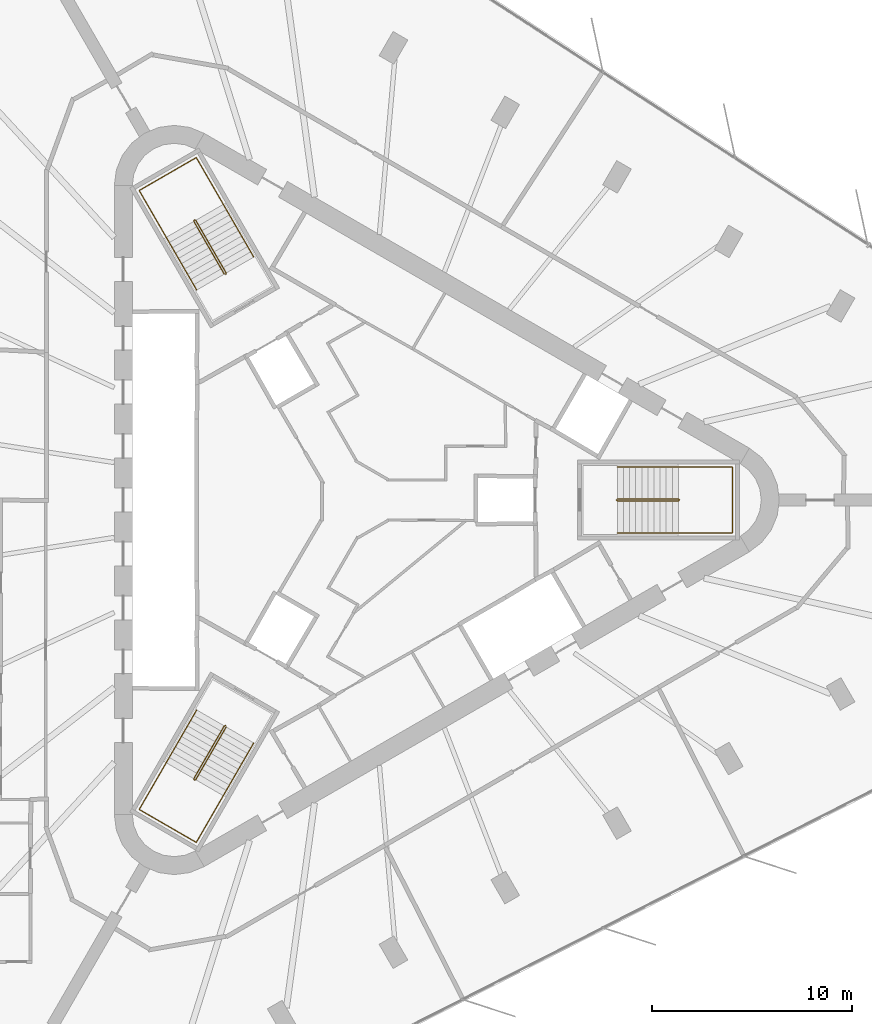
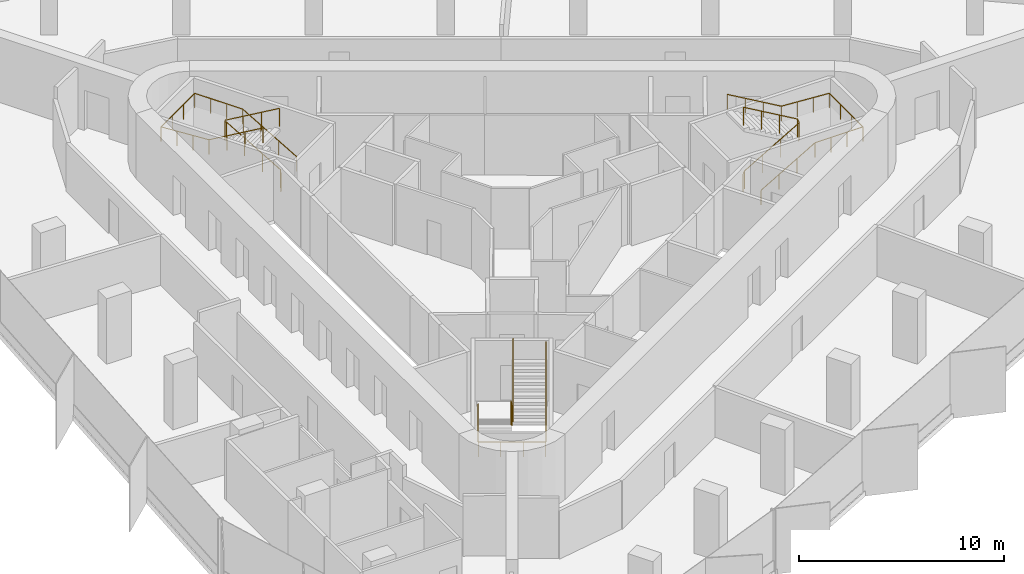
# One storey, part 13 of 13: 6 railings.
"""IFC4 building model written with IfcOpenShell, lengths in metres."""

from ifc_helpers import new_model, si_unit, direction, frame, origin, origin_2d, place, context, subcontext, project, spatial, circle, extrude, material, type_object, element, save


model = new_model("IFC4")

# Units and contexts
model_context = context("Model", 3, precision=1e-05, world=origin(), true_north=direction((0.0, 1.0)))
body_context = subcontext(model_context, "Body", "Model", "MODEL_VIEW")
ifc_project = project(units=[si_unit("LENGTHUNIT", "METRE"), si_unit("AREAUNIT", "SQUARE_METRE"), si_unit("VOLUMEUNIT", "CUBIC_METRE"), si_unit("PLANEANGLEUNIT", "RADIAN"), si_unit("MASSUNIT", "GRAM", prefix="KILO")], contexts=[model_context])

# Site, building, storey
site_placement = place(None, origin())
site = spatial("IfcSite", under=ifc_project, at=site_placement, CompositionType="ELEMENT")
building_placement = place(site_placement, origin())
building = spatial("IfcBuilding", under=site, at=building_placement, Name="Tanit Gate Tower", CompositionType="ELEMENT")
storey_placement = place(building_placement, frame((0.0, 0.0, 310.39990234375)))
storey = spatial("IfcBuildingStorey", under=building, at=storey_placement, Name="L69", CompositionType="ELEMENT", Elevation=310.39990234375)

# Railings
ifc_material_1 = material(Name="Stainless steel balustrade", Category="steel")
railing_type_1 = type_object("IfcRailingType", Name="INT-STAIR-GUARD", PredefinedType="GUARDRAIL", material=ifc_material_1)
railing_1_placement = place(storey_placement, frame((13.044921875, 0.0048828125, 0.0)))
element("IfcRailing", 1, at=railing_1_placement, inside=storey, type_object=railing_type_1, Name="L69 S1 stair guard 1", PredefinedType="GUARDRAIL", context=body_context, shape_type="SweptSolid", body=[
    extrude(circle(Radius=0.02392578125, at=origin_2d()), frame((0.0, 0.0, 1.076171875), z_axis=(0.0, -1.0, 0.0), x_axis=(1.0, 0.0, 0.0)), (0.0, 0.0, 1.0), 0.009765625),
    extrude(circle(Radius=0.02392578125, at=origin_2d()), frame((0.0, -0.009765625, 1.076171875), z_axis=(0.261922500866, -0.261922500866, 0.928866625022), x_axis=(0.707106781187, 0.707106781187, 0.0)), (0.0, 0.0, 1.0), 0.191162109375),
    extrude(circle(Radius=0.02392578125, at=origin_2d()), frame((0.050048828125, -0.059814453125, 1.25341796875), z_axis=(0.864648382064, 0.0, 0.502377522779), x_axis=(0.0, 1.0, 0.0)), (0.0, 0.0, 1.0), 3.528564453125),
    extrude(circle(Radius=0.02392578125, at=origin_2d()), frame((3.10107421875, -0.059814453125, 3.0263671875), z_axis=(0.707106781187, 0.707106781187, 0.0), x_axis=(-0.707106781187, 0.707106781187, 0.0)), (0.0, 0.0, 1.0), 0.07080078125),
    extrude(circle(Radius=0.02392578125, at=origin_2d()), frame((3.151123046875, -0.009765625, 3.0263671875), z_axis=(0.0, 1.0, 0.0), x_axis=(-1.0, 0.0, 0.0)), (0.0, 0.0, 1.0), 0.009765625),
    extrude(circle(Radius=0.02392578125, at=origin_2d()), frame((3.151123046875, 0.0, 3.0263671875), z_axis=(-0.262233686654, 0.262233686654, 0.928691007369), x_axis=(-0.707106781187, -0.707106781187, 0.0)), (0.0, 0.0, 1.0), 0.19091796875),
    extrude(circle(Radius=0.02392578125, at=origin_2d()), frame((3.10107421875, 0.050048828125, 3.20361328125), z_axis=(-0.864648382064, 0.0, 0.502377522779), x_axis=(0.0, -1.0, 0.0)), (0.0, 0.0, 1.0), 3.528564453125),
    extrude(circle(Radius=0.02099609375, at=origin_2d()), origin(), (0.0, 0.0, 1.0), 1.052001953125),
    extrude(circle(Radius=0.02099609375, at=origin_2d()), frame((0.0, -0.009765625, 0.0)), (0.0, 0.0, 1.0), 1.052001953125),
    extrude(circle(Radius=0.02099609375, at=origin_2d()), frame((0.050048828125, -0.059814453125, 0.177490234375)), (0.0, 0.0, 1.0), 1.052001953125),
    extrude(circle(Radius=0.02099609375, at=origin_2d()), frame((1.067138671875, -0.059814453125, 0.768310546875)), (0.0, 0.0, 1.0), 1.052001953125),
    extrude(circle(Radius=0.02099609375, at=origin_2d()), frame((2.083984375, -0.059814453125, 1.359375)), (0.0, 0.0, 1.0), 1.052001953125),
    extrude(circle(Radius=0.02099609375, at=origin_2d()), frame((3.10107421875, -0.059814453125, 1.9501953125)), (0.0, 0.0, 1.0), 1.052001953125),
    extrude(circle(Radius=0.02099609375, at=origin_2d()), frame((3.151123046875, -0.009765625, 1.9501953125)), (0.0, 0.0, 1.0), 1.052001953125),
    extrude(circle(Radius=0.02099609375, at=origin_2d()), frame((3.151123046875, 0.0, 1.9501953125)), (0.0, 0.0, 1.0), 1.052001953125),
    extrude(circle(Radius=0.02099609375, at=origin_2d()), frame((3.10107421875, 0.050048828125, 2.12744140625)), (0.0, 0.0, 1.0), 1.052001953125),
    extrude(circle(Radius=0.02099609375, at=origin_2d()), frame((2.083984375, 0.050048828125, 2.71826171875)), (0.0, 0.0, 1.0), 1.052001953125),
    extrude(circle(Radius=0.02099609375, at=origin_2d()), frame((1.067138671875, 0.050048828125, 3.309326171875)), (0.0, 0.0, 1.0), 1.052001953125),
    extrude(circle(Radius=0.02099609375, at=origin_2d()), frame((0.050048828125, 0.050048828125, 3.900146484375)), (0.0, 0.0, 1.0), 1.052001953125),
])
railing_2_placement = place(storey_placement, frame((-6.527099609375, 11.29345703125, 0.0)))
element("IfcRailing", 2, at=railing_2_placement, inside=storey, type_object=railing_type_1, Name="L69 S2 stair guard 1", PredefinedType="GUARDRAIL", context=body_context, shape_type="SweptSolid", body=[
    extrude(circle(Radius=0.02392578125, at=origin_2d()), frame((0.0, 0.0, 1.076171875), z_axis=(0.868243142124, 0.496138938357, 0.0), x_axis=(-0.496138938357, 0.868243142124, 0.0)), (0.0, 0.0, 1.0), 0.01171875),
    extrude(circle(Radius=0.02392578125, at=origin_2d()), frame((0.01025390625, 0.005859375, 1.076171875), z_axis=(0.095827260621, 0.357755106318, 0.928885579619), x_axis=(-0.965948051503, 0.258736085224, 0.0)), (0.0, 0.0, 1.0), 0.191162109375),
    extrude(circle(Radius=0.02392578125, at=origin_2d()), frame((0.028564453125, 0.07421875, 1.25341796875), z_axis=(-0.4322777601, 0.748681545756, 0.50260509465), x_axis=(-0.866012246495, -0.500022788402, 0.0)), (0.0, 0.0, 1.0), 3.527099609375),
    extrude(circle(Radius=0.02392578125, at=origin_2d()), frame((-1.49609375, 2.71484375, 3.0263671875), z_axis=(-0.965715946433, 0.259601060869, 0.0), x_axis=(-0.259601060869, -0.965715946433, 0.0)), (0.0, 0.0, 1.0), 0.070556640625),
    extrude(circle(Radius=0.02392578125, at=origin_2d()), frame((-1.564208984375, 2.733154296875, 3.0263671875), z_axis=(-0.873197702015, -0.487366159264, 0.0), x_axis=(0.487366159264, -0.873197702015, 0.0)), (0.0, 0.0, 1.0), 0.011962890625),
    extrude(circle(Radius=0.02392578125, at=origin_2d()), frame((-1.57470703125, 2.727294921875, 3.0263671875), z_axis=(-0.095941116058, -0.358180166617, 0.928710003441), x_axis=(0.965948051503, -0.258736085224, 0.0)), (0.0, 0.0, 1.0), 0.19091796875),
    extrude(circle(Radius=0.02392578125, at=origin_2d()), frame((-1.593017578125, 2.658935546875, 3.20361328125), z_axis=(0.4322777601, -0.748681545756, 0.50260509465), x_axis=(0.866012246495, 0.500022788402, 0.0)), (0.0, 0.0, 1.0), 3.527099609375),
    extrude(circle(Radius=0.02099609375, at=origin_2d()), origin(), (0.0, 0.0, 1.0), 1.052001953125),
    extrude(circle(Radius=0.02099609375, at=origin_2d()), frame((0.01025390625, 0.005859375, 0.0)), (0.0, 0.0, 1.0), 1.052001953125),
    extrude(circle(Radius=0.02099609375, at=origin_2d()), frame((0.028564453125, 0.07421875, 0.177490234375)), (0.0, 0.0, 1.0), 1.052001953125),
    extrude(circle(Radius=0.02099609375, at=origin_2d()), frame((-0.479736328125, 0.954345703125, 0.768310546875)), (0.0, 0.0, 1.0), 1.052001953125),
    extrude(circle(Radius=0.02099609375, at=origin_2d()), frame((-0.98779296875, 1.834716796875, 1.359375)), (0.0, 0.0, 1.0), 1.052001953125),
    extrude(circle(Radius=0.02099609375, at=origin_2d()), frame((-1.49609375, 2.71484375, 1.9501953125)), (0.0, 0.0, 1.0), 1.052001953125),
    extrude(circle(Radius=0.02099609375, at=origin_2d()), frame((-1.564208984375, 2.733154296875, 1.9501953125)), (0.0, 0.0, 1.0), 1.052001953125),
    extrude(circle(Radius=0.02099609375, at=origin_2d()), frame((-1.57470703125, 2.727294921875, 1.9501953125)), (0.0, 0.0, 1.0), 1.052001953125),
    extrude(circle(Radius=0.02099609375, at=origin_2d()), frame((-1.593017578125, 2.658935546875, 2.12744140625)), (0.0, 0.0, 1.0), 1.052001953125),
    extrude(circle(Radius=0.02099609375, at=origin_2d()), frame((-1.084716796875, 1.77880859375, 2.71826171875)), (0.0, 0.0, 1.0), 1.052001953125),
    extrude(circle(Radius=0.02099609375, at=origin_2d()), frame((-0.57666015625, 0.8984375, 3.309326171875)), (0.0, 0.0, 1.0), 1.052001953125),
    extrude(circle(Radius=0.02099609375, at=origin_2d()), frame((-0.068359375, 0.018310546875, 3.900146484375)), (0.0, 0.0, 1.0), 1.052001953125),
])
railing_3_placement = place(storey_placement, frame((-6.51806640625, -11.2998046875, 0.0)))
element("IfcRailing", 3, at=railing_3_placement, inside=storey, type_object=railing_type_1, Name="L69 S3 stair guard 1", PredefinedType="GUARDRAIL", context=body_context, shape_type="SweptSolid", body=[
    extrude(circle(Radius=0.02392578125, at=origin_2d()), frame((0.0, 0.0, 1.076171875), z_axis=(-0.874157276122, 0.485642931179, 0.0), x_axis=(-0.485642931179, -0.874157276122, 0.0)), (0.0, 0.0, 1.0), 0.010009765625),
    extrude(circle(Radius=0.02392578125, at=origin_2d()), frame((-0.0087890625, 0.0048828125, 1.076171875), z_axis=(-0.357798625124, -0.094561065211, 0.928998573091), x_axis=(0.255512919477, -0.966805641264, 0.0)), (0.0, 0.0, 1.0), 0.191162109375),
    extrude(circle(Radius=0.02392578125, at=origin_2d()), frame((-0.0771484375, -0.01318359375, 1.25341796875), z_axis=(-0.432289778901, -0.748827189027, 0.502377734411), x_axis=(0.866048339477, -0.499960272111, 0.0)), (0.0, 0.0, 1.0), 3.528564453125),
    extrude(circle(Radius=0.02392578125, at=origin_2d()), frame((-1.6025390625, -2.655517578125, 3.0263671875), z_axis=(0.258736085224, -0.965948051503, 0.0), x_axis=(0.965948051503, 0.258736085224, 0.0)), (0.0, 0.0, 1.0), 0.07080078125),
    extrude(circle(Radius=0.02392578125, at=origin_2d()), frame((-1.584228515625, -2.723876953125, 3.0263671875), z_axis=(0.868243142124, -0.496138938357, 0.0), x_axis=(0.496138938357, 0.868243142124, 0.0)), (0.0, 0.0, 1.0), 0.009765625),
    extrude(circle(Radius=0.02392578125, at=origin_2d()), frame((-1.57568359375, -2.728759765625, 3.0263671875), z_axis=(0.358180166617, 0.095941116058, 0.928710003441), x_axis=(-0.258736085224, 0.965948051503, 0.0)), (0.0, 0.0, 1.0), 0.19091796875),
    extrude(circle(Radius=0.02392578125, at=origin_2d()), frame((-1.50732421875, -2.71044921875, 3.20361328125), z_axis=(0.432368434633, 0.748774395838, 0.502388734816), x_axis=(-0.865993683553, 0.500054937028, 0.0)), (0.0, 0.0, 1.0), 3.528564453125),
    extrude(circle(Radius=0.02099609375, at=origin_2d()), origin(), (0.0, 0.0, 1.0), 1.052001953125),
    extrude(circle(Radius=0.02099609375, at=origin_2d()), frame((-0.0087890625, 0.0048828125, 0.0)), (0.0, 0.0, 1.0), 1.052001953125),
    extrude(circle(Radius=0.02099609375, at=origin_2d()), frame((-0.0771484375, -0.01318359375, 0.177490234375)), (0.0, 0.0, 1.0), 1.052001953125),
    extrude(circle(Radius=0.02099609375, at=origin_2d()), frame((-0.585693359375, -0.89404296875, 0.768310546875)), (0.0, 0.0, 1.0), 1.052001953125),
    extrude(circle(Radius=0.02099609375, at=origin_2d()), frame((-1.093994140625, -1.774658203125, 1.359375)), (0.0, 0.0, 1.0), 1.052001953125),
    extrude(circle(Radius=0.02099609375, at=origin_2d()), frame((-1.6025390625, -2.655517578125, 1.9501953125)), (0.0, 0.0, 1.0), 1.052001953125),
    extrude(circle(Radius=0.02099609375, at=origin_2d()), frame((-1.584228515625, -2.723876953125, 1.9501953125)), (0.0, 0.0, 1.0), 1.052001953125),
    extrude(circle(Radius=0.02099609375, at=origin_2d()), frame((-1.57568359375, -2.728759765625, 1.9501953125)), (0.0, 0.0, 1.0), 1.052001953125),
    extrude(circle(Radius=0.02099609375, at=origin_2d()), frame((-1.50732421875, -2.71044921875, 2.12744140625)), (0.0, 0.0, 1.0), 1.052001953125),
    extrude(circle(Radius=0.02099609375, at=origin_2d()), frame((-0.998779296875, -1.829833984375, 2.71826171875)), (0.0, 0.0, 1.0), 1.052001953125),
    extrude(circle(Radius=0.02099609375, at=origin_2d()), frame((-0.490234375, -0.948974609375, 3.309326171875)), (0.0, 0.0, 1.0), 1.052001953125),
    extrude(circle(Radius=0.02099609375, at=origin_2d()), frame((0.018310546875, -0.068359375, 3.900146484375)), (0.0, 0.0, 1.0), 1.052001953125),
])
ifc_material_2 = material(Name="Stainless steel handrail", Category="steel")
railing_type_2 = type_object("IfcRailingType", Name="INT-STAIR-HANDRAIL", PredefinedType="HANDRAIL", material=ifc_material_2)
railing_4_placement = place(storey_placement, frame((13.094970703125, -1.64990234375, 0.177490234375)))
element("IfcRailing", 4, at=railing_4_placement, inside=storey, type_object=railing_type_2, Name="L69 S1 stair handrail 1", PredefinedType="HANDRAIL", context=body_context, shape_type="SweptSolid", body=[
    extrude(circle(Radius=0.02392578125, at=origin_2d()), frame((0.0, 0.0, 0.8759765625), z_axis=(0.864648382064, 0.0, 0.502377522779), x_axis=(0.0, 1.0, 0.0)), (0.0, 0.0, 1.0), 3.528564453125),
    extrude(circle(Radius=0.02392578125, at=origin_2d()), frame((3.051025390625, 0.0, 2.6484375), z_axis=(1.0, 0.0, 0.0), x_axis=(0.0, 1.0, 0.0)), (0.0, 0.0, 1.0), 2.7041015625),
    extrude(circle(Radius=0.02392578125, at=origin_2d()), frame((5.755126953125, 0.0, 2.6484375), z_axis=(0.0, 1.0, 0.0), x_axis=(-1.0, 0.0, 0.0)), (0.0, 0.0, 1.0), 3.2998046875),
    extrude(circle(Radius=0.02392578125, at=origin_2d()), frame((5.755126953125, 3.2998046875, 2.6484375), z_axis=(-0.997858684482, 0.0, 0.065406771843), x_axis=(0.0, -1.0, 0.0)), (0.0, 0.0, 1.0), 2.7099609375),
    extrude(circle(Radius=0.02392578125, at=origin_2d()), frame((3.051025390625, 3.2998046875, 2.82568359375), z_axis=(-0.864648382064, 0.0, 0.502377522779), x_axis=(0.0, -1.0, 0.0)), (0.0, 0.0, 1.0), 3.528564453125),
    extrude(circle(Radius=0.02099609375, at=origin_2d()), origin(), (0.0, 0.0, 1.0), 0.851806640625),
    extrude(circle(Radius=0.02099609375, at=origin_2d()), frame((1.01708984375, 0.0, 0.5908203125)), (0.0, 0.0, 1.0), 0.851806640625),
    extrude(circle(Radius=0.02099609375, at=origin_2d()), frame((2.033935546875, 0.0, 1.181884765625)), (0.0, 0.0, 1.0), 0.851806640625),
    extrude(circle(Radius=0.02099609375, at=origin_2d()), frame((3.051025390625, 0.0, 1.772705078125)), (0.0, 0.0, 1.0), 0.851806640625),
    extrude(circle(Radius=0.02099609375, at=origin_2d()), frame((3.952392578125, 0.0, 1.772705078125)), (0.0, 0.0, 1.0), 0.851806640625),
    extrude(circle(Radius=0.02099609375, at=origin_2d()), frame((4.853759765625, 0.0, 1.772705078125)), (0.0, 0.0, 1.0), 0.851806640625),
    extrude(circle(Radius=0.02099609375, at=origin_2d()), frame((5.755126953125, 0.0, 1.772705078125)), (0.0, 0.0, 1.0), 0.851806640625),
    extrude(circle(Radius=0.02099609375, at=origin_2d()), frame((5.755126953125, 1.099853515625, 1.772705078125)), (0.0, 0.0, 1.0), 0.851806640625),
    extrude(circle(Radius=0.02099609375, at=origin_2d()), frame((5.755126953125, 2.199951171875, 1.772705078125)), (0.0, 0.0, 1.0), 0.851806640625),
    extrude(circle(Radius=0.02099609375, at=origin_2d()), frame((5.755126953125, 3.2998046875, 1.772705078125)), (0.0, 0.0, 1.0), 0.851806640625),
    extrude(circle(Radius=0.02099609375, at=origin_2d()), frame((4.853759765625, 3.2998046875, 1.831787109375)), (0.0, 0.0, 1.0), 0.851806640625),
    extrude(circle(Radius=0.02099609375, at=origin_2d()), frame((3.952392578125, 3.2998046875, 1.890869140625)), (0.0, 0.0, 1.0), 0.851806640625),
    extrude(circle(Radius=0.02099609375, at=origin_2d()), frame((3.051025390625, 3.2998046875, 1.949951171875)), (0.0, 0.0, 1.0), 0.851806640625),
    extrude(circle(Radius=0.02099609375, at=origin_2d()), frame((2.033935546875, 3.2998046875, 2.540771484375)), (0.0, 0.0, 1.0), 0.851806640625),
    extrude(circle(Radius=0.02099609375, at=origin_2d()), frame((1.01708984375, 3.2998046875, 3.1318359375)), (0.0, 0.0, 1.0), 0.851806640625),
    extrude(circle(Radius=0.02099609375, at=origin_2d()), frame((0.0, 3.2998046875, 3.72265625)), (0.0, 0.0, 1.0), 0.851806640625),
])
railing_5_placement = place(storey_placement, frame((-5.1181640625, 12.164794921875, 0.177490234375)))
element("IfcRailing", 5, at=railing_5_placement, inside=storey, type_object=railing_type_2, Name="L69 S2 stair handrail 1", PredefinedType="HANDRAIL", context=body_context, shape_type="SweptSolid", body=[
    extrude(circle(Radius=0.02392578125, at=origin_2d()), frame((0.0, 0.0, 0.8759765625), z_axis=(-0.432221472453, 0.748703947157, 0.502620133164), x_axis=(-0.866046917185, -0.499962735845, 0.0)), (0.0, 0.0, 1.0), 3.52685546875),
    extrude(circle(Radius=0.02392578125, at=origin_2d()), frame((-1.5244140625, 2.640625, 2.6484375), z_axis=(-0.500019123664, 0.86601436245, 0.0), x_axis=(-0.86601436245, -0.500019123664, 0.0)), (0.0, 0.0, 1.0), 2.70703125),
    extrude(circle(Radius=0.02392578125, at=origin_2d()), frame((-2.8779296875, 4.98486328125, 2.6484375), z_axis=(-0.866008176907, -0.50002983664, 0.0), x_axis=(0.50002983664, -0.866008176907, 0.0)), (0.0, 0.0, 1.0), 3.300048828125),
    extrude(circle(Radius=0.02392578125, at=origin_2d()), frame((-5.73583984375, 3.334716796875, 2.6484375), z_axis=(0.498989459885, -0.864141018102, 0.065343857842), x_axis=(0.865991810323, 0.500058181068, 0.0)), (0.0, 0.0, 1.0), 2.71240234375),
    extrude(circle(Radius=0.02392578125, at=origin_2d()), frame((-4.38232421875, 0.99072265625, 2.82568359375), z_axis=(0.432255358616, -0.748711963836, 0.502579048665), x_axis=(0.866032263162, 0.499988119021, 0.0)), (0.0, 0.0, 1.0), 3.527099609375),
    extrude(circle(Radius=0.02099609375, at=origin_2d()), origin(), (0.0, 0.0, 1.0), 0.851806640625),
    extrude(circle(Radius=0.02099609375, at=origin_2d()), frame((-0.508056640625, 0.880126953125, 0.5908203125)), (0.0, 0.0, 1.0), 0.851806640625),
    extrude(circle(Radius=0.02099609375, at=origin_2d()), frame((-1.016357421875, 1.760498046875, 1.181884765625)), (0.0, 0.0, 1.0), 0.851806640625),
    extrude(circle(Radius=0.02099609375, at=origin_2d()), frame((-1.5244140625, 2.640625, 1.772705078125)), (0.0, 0.0, 1.0), 0.851806640625),
    extrude(circle(Radius=0.02099609375, at=origin_2d()), frame((-1.9755859375, 3.422119140625, 1.772705078125)), (0.0, 0.0, 1.0), 0.851806640625),
    extrude(circle(Radius=0.02099609375, at=origin_2d()), frame((-2.4267578125, 4.203369140625, 1.772705078125)), (0.0, 0.0, 1.0), 0.851806640625),
    extrude(circle(Radius=0.02099609375, at=origin_2d()), frame((-2.8779296875, 4.98486328125, 1.772705078125)), (0.0, 0.0, 1.0), 0.851806640625),
    extrude(circle(Radius=0.02099609375, at=origin_2d()), frame((-3.83056640625, 4.434814453125, 1.772705078125)), (0.0, 0.0, 1.0), 0.851806640625),
    extrude(circle(Radius=0.02099609375, at=origin_2d()), frame((-4.783203125, 3.884765625, 1.772705078125)), (0.0, 0.0, 1.0), 0.851806640625),
    extrude(circle(Radius=0.02099609375, at=origin_2d()), frame((-5.73583984375, 3.334716796875, 1.772705078125)), (0.0, 0.0, 1.0), 0.851806640625),
    extrude(circle(Radius=0.02099609375, at=origin_2d()), frame((-5.28466796875, 2.553466796875, 1.831787109375)), (0.0, 0.0, 1.0), 0.851806640625),
    extrude(circle(Radius=0.02099609375, at=origin_2d()), frame((-4.83349609375, 1.77197265625, 1.890869140625)), (0.0, 0.0, 1.0), 0.851806640625),
    extrude(circle(Radius=0.02099609375, at=origin_2d()), frame((-4.38232421875, 0.99072265625, 1.949951171875)), (0.0, 0.0, 1.0), 0.851806640625),
    extrude(circle(Radius=0.02099609375, at=origin_2d()), frame((-3.8740234375, 0.1103515625, 2.540771484375)), (0.0, 0.0, 1.0), 0.851806640625),
    extrude(circle(Radius=0.02099609375, at=origin_2d()), frame((-3.365966796875, -0.769775390625, 3.1318359375)), (0.0, 0.0, 1.0), 0.851806640625),
    extrude(circle(Radius=0.02099609375, at=origin_2d()), frame((-2.857666015625, -1.650146484375, 3.72265625)), (0.0, 0.0, 1.0), 0.851806640625),
])
railing_6_placement = place(storey_placement, frame((-7.9765625, -10.515625, 0.177490234375)))
element("IfcRailing", 6, at=railing_6_placement, inside=storey, type_object=railing_type_2, Name="L69 S3 stair handrail 1", PredefinedType="HANDRAIL", context=body_context, shape_type="SweptSolid", body=[
    extrude(circle(Radius=0.02392578125, at=origin_2d()), frame((0.0, 0.0, 0.8759765625), z_axis=(-0.432289778901, -0.748827189027, 0.502377734411), x_axis=(0.866048339477, -0.499960272111, 0.0)), (0.0, 0.0, 1.0), 3.528564453125),
    extrude(circle(Radius=0.02392578125, at=origin_2d()), frame((-1.525390625, -2.642333984375, 2.6484375), z_axis=(-0.50004290449, -0.866000631449, 0.0), x_axis=(0.866000631449, -0.50004290449, 0.0)), (0.0, 0.0, 1.0), 2.703857421875),
    extrude(circle(Radius=0.02392578125, at=origin_2d()), frame((-2.87744140625, -4.98388671875, 2.6484375), z_axis=(0.866008176907, -0.50002983664, 0.0), x_axis=(0.50002983664, 0.866008176907, 0.0)), (0.0, 0.0, 1.0), 3.300048828125),
    extrude(circle(Radius=0.02392578125, at=origin_2d()), frame((-0.01953125, -6.634033203125, 2.6484375), z_axis=(0.498933124603, 0.864168748861, 0.065407267689), x_axis=(-0.866023205937, 0.500003806764, 0.0)), (0.0, 0.0, 1.0), 2.7099609375),
    extrude(circle(Radius=0.02392578125, at=origin_2d()), frame((1.33251953125, -4.292236328125, 2.82568359375), z_axis=(0.432289778901, 0.748827189027, 0.502377734411), x_axis=(-0.866048339477, 0.499960272111, 0.0)), (0.0, 0.0, 1.0), 3.528564453125),
    extrude(circle(Radius=0.02099609375, at=origin_2d()), origin(), (0.0, 0.0, 1.0), 0.851806640625),
    extrude(circle(Radius=0.02099609375, at=origin_2d()), frame((-0.508544921875, -0.880859375, 0.5908203125)), (0.0, 0.0, 1.0), 0.851806640625),
    extrude(circle(Radius=0.02099609375, at=origin_2d()), frame((-1.016845703125, -1.761474609375, 1.181884765625)), (0.0, 0.0, 1.0), 0.851806640625),
    extrude(circle(Radius=0.02099609375, at=origin_2d()), frame((-1.525390625, -2.642333984375, 1.772705078125)), (0.0, 0.0, 1.0), 0.851806640625),
    extrude(circle(Radius=0.02099609375, at=origin_2d()), frame((-1.97607421875, -3.4228515625, 1.772705078125)), (0.0, 0.0, 1.0), 0.851806640625),
    extrude(circle(Radius=0.02099609375, at=origin_2d()), frame((-2.4267578125, -4.203369140625, 1.772705078125)), (0.0, 0.0, 1.0), 0.851806640625),
    extrude(circle(Radius=0.02099609375, at=origin_2d()), frame((-2.87744140625, -4.98388671875, 1.772705078125)), (0.0, 0.0, 1.0), 0.851806640625),
    extrude(circle(Radius=0.02099609375, at=origin_2d()), frame((-1.9248046875, -5.533935546875, 1.772705078125)), (0.0, 0.0, 1.0), 0.851806640625),
    extrude(circle(Radius=0.02099609375, at=origin_2d()), frame((-0.97216796875, -6.083984375, 1.772705078125)), (0.0, 0.0, 1.0), 0.851806640625),
    extrude(circle(Radius=0.02099609375, at=origin_2d()), frame((-0.01953125, -6.634033203125, 1.772705078125)), (0.0, 0.0, 1.0), 0.851806640625),
    extrude(circle(Radius=0.02099609375, at=origin_2d()), frame((0.43115234375, -5.853515625, 1.831787109375)), (0.0, 0.0, 1.0), 0.851806640625),
    extrude(circle(Radius=0.02099609375, at=origin_2d()), frame((0.8818359375, -5.07275390625, 1.890869140625)), (0.0, 0.0, 1.0), 0.851806640625),
    extrude(circle(Radius=0.02099609375, at=origin_2d()), frame((1.33251953125, -4.292236328125, 1.949951171875)), (0.0, 0.0, 1.0), 0.851806640625),
    extrude(circle(Radius=0.02099609375, at=origin_2d()), frame((1.841064453125, -3.411376953125, 2.540771484375)), (0.0, 0.0, 1.0), 0.851806640625),
    extrude(circle(Radius=0.02099609375, at=origin_2d()), frame((2.349365234375, -2.53076171875, 3.1318359375)), (0.0, 0.0, 1.0), 0.851806640625),
    extrude(circle(Radius=0.02099609375, at=origin_2d()), frame((2.85791015625, -1.64990234375, 3.72265625)), (0.0, 0.0, 1.0), 0.851806640625),
])

save(model, "model.ifc")
